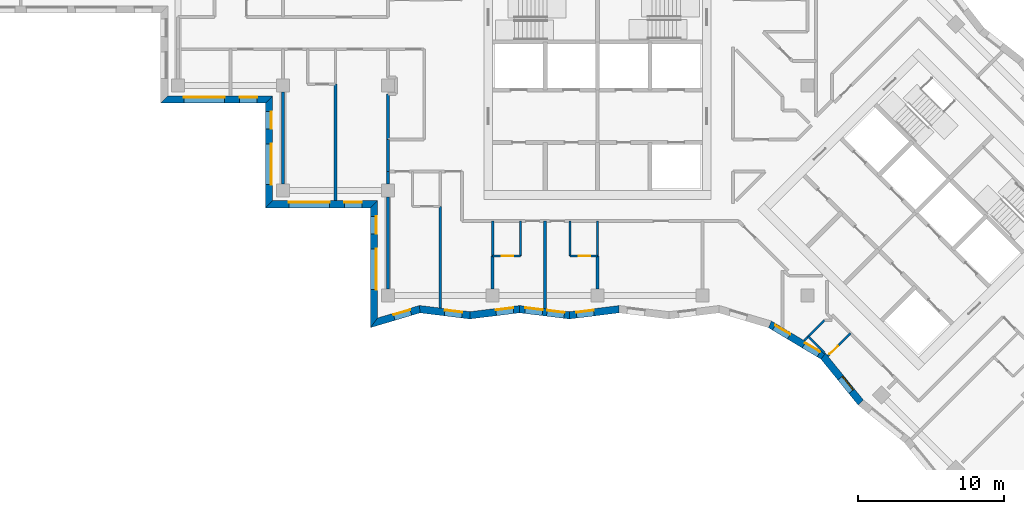
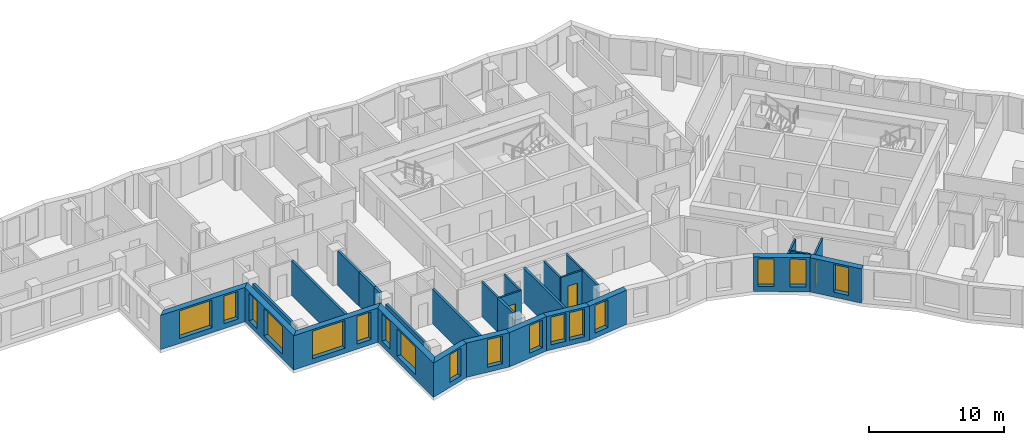
# One storey, part 2 of 12: 30 walls, 17 windows, 3 doors, 20 openings.
"""IFC4 building model written with IfcOpenShell, lengths in metres."""

import ifcopenshell
import ifcopenshell.guid

model = None  # the IFC model being written
_history = None  # IfcOwnerHistory: only IFC2X3 demands one
_inside = {}  # id of a spatial element -> (the spatial element, [elements in it])
_under = {}  # id of a project, library or spatial element -> (it, [spatial elements below it])
_declared = {}  # id of a project -> (the project, [libraries it declares])
_typed = {}  # id of a type object -> (the type object, [elements of that type])
_made_of = {}  # id of a material, layer set ... -> (it, [elements and type objects made of it])


def new_model(schema):
    """Start an empty IFC model of exactly this schema.

    Asked for "IFC4X3", IfcOpenShell would pick the latest addendum, in which some entities
    have other attributes; the version numbers below select the first issue.
    IFC2X3 requires an IfcOwnerHistory on every rooted entity: one is made here for all.
    """
    global model, _history
    if schema == "IFC4X3":
        model = ifcopenshell.file(schema_version=(4, 3, 0, 0))
    else:
        model = ifcopenshell.file(schema=schema)
    _inside.clear()
    _under.clear()
    _declared.clear()
    _typed.clear()
    _made_of.clear()
    _history = None
    if model.schema == "IFC2X3":
        org = make("IfcOrganization", Name="unknown")
        user = make(
            "IfcPersonAndOrganization",
            ThePerson=make("IfcPerson", FamilyName="unknown"),
            TheOrganization=org,
        )
        app = make(
            "IfcApplication",
            ApplicationDeveloper=org,
            Version="unknown",
            ApplicationFullName="unknown",
            ApplicationIdentifier="unknown",
        )
        _history = make(
            "IfcOwnerHistory",
            OwningUser=user,
            OwningApplication=app,
            ChangeAction="ADDED",
            CreationDate=0,
        )
    return model


def make(cls, **values):
    """One entity of the class cls with the attributes given. An attribute that is None is left unset."""
    return model.create_entity(
        cls, **{name: value for name, value in values.items() if value is not None}
    )


def rooted(cls, **values):
    """An entity with a GlobalId (a new one), such as an element, a storey or a relation."""
    return make(cls, GlobalId=ifcopenshell.guid.new(), OwnerHistory=_history, **values)


def si_unit(unit_type, name, prefix=None):
    """IfcSIUnit, for example si_unit("LENGTHUNIT", "METRE", prefix="MILLI")."""
    return make("IfcSIUnit", UnitType=unit_type, Prefix=prefix, Name=name)


def assignment(units):
    """IfcUnitAssignment: the units of a project."""
    return None if units is None else make("IfcUnitAssignment", Units=units)


def point(xyz):
    """IfcCartesianPoint."""
    return None if xyz is None else make("IfcCartesianPoint", Coordinates=xyz)


def direction(xyz):
    """IfcDirection."""
    return None if xyz is None else make("IfcDirection", DirectionRatios=xyz)


def frame(location, z_axis=None, x_axis=None):
    """IfcAxis2Placement3D, a coordinate frame: its origin and axes. An axis left out is left unset."""
    return make(
        "IfcAxis2Placement3D",
        Location=point(location),
        Axis=direction(z_axis),
        RefDirection=direction(x_axis),
    )


def frame_2d(location, x_axis=None):
    """IfcAxis2Placement2D, a coordinate frame in the plane: its origin and x axis."""
    return make(
        "IfcAxis2Placement2D", Location=point(location), RefDirection=direction(x_axis)
    )


def origin():
    """The frame at (0, 0, 0) with its axes left unset."""
    return frame((0.0, 0.0, 0.0))


def place(relative_to, where):
    """IfcLocalPlacement: puts the frame where relative to a parent placement (None: the world)."""
    return make(
        "IfcLocalPlacement", PlacementRelTo=relative_to, RelativePlacement=where
    )


def context(
    kind, dimensions, precision=None, world=None, true_north=None, identifier=None
):
    """IfcGeometricRepresentationContext, for example the 3D "Model" context."""
    return make(
        "IfcGeometricRepresentationContext",
        ContextIdentifier=identifier,
        ContextType=kind,
        CoordinateSpaceDimension=dimensions,
        Precision=precision,
        WorldCoordinateSystem=world,
        TrueNorth=true_north,
    )


def subcontext(parent, identifier, kind, view, scale=None):
    """IfcGeometricRepresentationSubContext, for example "Body" below "Model"."""
    return make(
        "IfcGeometricRepresentationSubContext",
        ContextIdentifier=identifier,
        ContextType=kind,
        ParentContext=parent,
        TargetScale=scale,
        TargetView=view,
    )


def project(units=None, contexts=None):
    """IfcProject with its units and contexts."""
    return rooted(
        "IfcProject",
        Name="project",
        RepresentationContexts=contexts,
        UnitsInContext=assignment(units),
    )


def spatial(cls, under=None, at=None, **own):
    """A site, building, storey or space (cls), placed at a placement, below another one or the project."""
    s = rooted(cls, ObjectPlacement=at, **own)
    if under is not None:
        _under.setdefault(under.id(), (under, []))[1].append(s)
    return s


def polyline(points):
    """IfcPolyline through the points."""
    return make("IfcPolyline", Points=[point(p) for p in points])


def profile(cls, at=None, kind="AREA", **sizes):
    """A parametric profile (cls). Its sizes go by their IFC names, for example OverallWidth=200.0."""
    return make(cls, ProfileType=kind, Position=at, **sizes)


def rectangle(**sizes):
    """IfcRectangleProfileDef."""
    return profile("IfcRectangleProfileDef", **sizes)


def outline(outer, holes=None, kind="AREA"):
    """IfcArbitraryClosedProfileDef: a profile drawn as a closed curve; with holes, ...WithVoids."""
    if holes is None:
        return make("IfcArbitraryClosedProfileDef", ProfileType=kind, OuterCurve=outer)
    return make(
        "IfcArbitraryProfileDefWithVoids",
        ProfileType=kind,
        OuterCurve=outer,
        InnerCurves=holes,
    )


def extrude(swept, where, along, depth):
    """IfcExtrudedAreaSolid: the profile swept, set in the frame where, extruded along a direction by depth."""
    return make(
        "IfcExtrudedAreaSolid",
        SweptArea=swept,
        Position=where,
        ExtrudedDirection=direction(along),
        Depth=depth,
    )


def shape(context_of_items, identifier, shape_type, items):
    """IfcShapeRepresentation: the items that make up one representation, for example the "Body"."""
    return make(
        "IfcShapeRepresentation",
        ContextOfItems=context_of_items,
        RepresentationIdentifier=identifier,
        RepresentationType=shape_type,
        Items=items,
    )


def material(Name=None, Category=None):
    """IfcMaterial."""
    return make("IfcMaterial", Name=Name, Category=Category)


def layer(
    of_material, thickness, ventilated=None, Name=None, Category=None, Priority=None
):
    """IfcMaterialLayer: one layer of a wall or slab, of a material (None: an air gap)."""
    return make(
        "IfcMaterialLayer",
        Material=of_material,
        LayerThickness=thickness,
        IsVentilated=ventilated,
        Name=Name,
        Category=Category,
        Priority=Priority,
    )


def layer_set(layers, Name=None):
    """IfcMaterialLayerSet."""
    return make("IfcMaterialLayerSet", MaterialLayers=layers, LayerSetName=Name)


def made_of(thing, what):
    """Note that an element or type object is made of a material, layer set ...; save() writes the relation."""
    if what is not None:
        _made_of.setdefault(what.id(), (what, []))[1].append(thing)
    return thing


def type_object(cls, material=None, **own):
    """A type object (cls), such as IfcWallType, which elements share."""
    return made_of(rooted(cls, **own), material)


def element(
    cls,
    number,
    at=None,
    inside=None,
    cuts=None,
    type_object=None,
    material=None,
    context=None,
    identifier="Body",
    shape_type=None,
    held_by="IfcProductDefinitionShape",
    body=None,
    shapes=None,
    **own,
):
    """One element of the class cls, such as IfcWall. Its Tag is "e" and its number.

    at: its placement. inside: the storey or other place that contains it. cuts: it is an
    opening in that element (IfcRelVoidsElement). A single representation is given by context,
    identifier, shape_type and body (its items); several are given by shapes. held_by: the class
    of the entity that holds the representations. save() writes the other relations.
    """
    e = rooted(cls, Tag="e%d" % number, ObjectPlacement=at, **own)
    if body is not None:
        shapes = [shape(context, identifier, shape_type, body)]
    if shapes is not None:
        e.Representation = make(held_by, Representations=shapes)
    if inside is not None:
        _inside.setdefault(inside.id(), (inside, []))[1].append(e)
    if cuts is not None:
        rooted(
            "IfcRelVoidsElement", RelatingBuildingElement=cuts, RelatedOpeningElement=e
        )
    if type_object is not None:
        _typed.setdefault(type_object.id(), (type_object, []))[1].append(e)
    return made_of(e, material)


def fill(opening, filler):
    """IfcRelFillsElement: the door or window that sits in an opening."""
    return rooted(
        "IfcRelFillsElement",
        RelatingOpeningElement=opening,
        RelatedBuildingElement=filler,
    )


def aggregate(whole, parts):
    """IfcRelAggregates: a whole, such as a stair, and the parts it consists of."""
    return rooted("IfcRelAggregates", RelatingObject=whole, RelatedObjects=parts)


def save(model, path):
    """Write the relations noted so far, then the file.

    IfcRelAggregates (storeys below a building ...), IfcRelContainedInSpatialStructure (elements
    in a storey), IfcRelDefinesByType, IfcRelAssociatesMaterial and IfcRelDeclares: one each for
    every whole, place, type object, material and project.
    """
    for whole, parts in _under.values():
        aggregate(whole, parts)
    for where, things in _inside.values():
        rooted(
            "IfcRelContainedInSpatialStructure",
            RelatedElements=things,
            RelatingStructure=where,
        )
    for kind, things in _typed.values():
        rooted("IfcRelDefinesByType", RelatedObjects=things, RelatingType=kind)
    for what, things in _made_of.values():
        rooted("IfcRelAssociatesMaterial", RelatedObjects=things, RelatingMaterial=what)
    for by, libraries in _declared.values():
        rooted("IfcRelDeclares", RelatingContext=by, RelatedDefinitions=libraries)
    model.write(path)


model = new_model("IFC4")

# Units and contexts
model_context = context("Model", 3, precision=1e-05, world=origin(), true_north=direction((0.0, 1.0)))
body_context = subcontext(model_context, "Body", "Model", "MODEL_VIEW")
ifc_project = project(units=[si_unit("LENGTHUNIT", "METRE"), si_unit("AREAUNIT", "SQUARE_METRE"), si_unit("VOLUMEUNIT", "CUBIC_METRE"), si_unit("PLANEANGLEUNIT", "RADIAN"), si_unit("MASSUNIT", "GRAM", prefix="KILO")], contexts=[model_context])

# Site, building, storey
site_placement = place(None, origin())
site = spatial("IfcSite", under=ifc_project, at=site_placement, CompositionType="ELEMENT")
building_placement = place(site_placement, origin())
building = spatial("IfcBuilding", under=site, at=building_placement, Name="Windrow Commons", CompositionType="ELEMENT")
storey_placement = place(building_placement, frame((0.0, 0.0, 149.0)))
storey = spatial("IfcBuildingStorey", under=building, at=storey_placement, Name="L40", CompositionType="ELEMENT", Elevation=149.0)

# Wall, openings, windows
ifc_material_1 = material(Name="Brick masonry, red clay brick", Category="masonry")
ifc_layer_1 = layer(ifc_material_1, 0.5)
ifc_layer_set_1 = layer_set([ifc_layer_1], Name="Brick facade wall 500")
wall_type_1 = type_object("IfcWallType", Name="Brick facade wall 500", PredefinedType="SOLIDWALL", material=ifc_layer_set_1)
wall_1_placement = place(storey_placement, frame((35.05, 56.65, 0.0), z_axis=(0.0, 0.0, 1.0), x_axis=(1.0, 0.0, 0.0)))
wall_1 = element("IfcWall", 1, at=wall_1_placement, inside=storey, type_object=wall_type_1, Name="Brick facade wall L40 38", PredefinedType="SOLIDWALL", context=body_context, shape_type="SweptSolid", body=[
    extrude(outline(polyline([(-0.25, -0.25), (6.95, -0.25), (7.45, 0.25), (0.25, 0.25), (-0.25, -0.25)])), origin(), (0.0, 0.0, 1.0), 3.1),
])
opening_1_placement = place(wall_1_placement, frame((1.35, 0.0, 0.45)))
opening_1 = element("IfcOpeningElement", 2, at=opening_1_placement, cuts=wall_1, Name="Opening W1U", PredefinedType="OPENING", context=body_context, shape_type="SweptSolid", body=[
    extrude(rectangle(XDim=2.8, YDim=2.5, at=frame_2d((1.4, 1.25))), frame((0.0, 0.26, 0.0), z_axis=(0.0, -1.0, 0.0), x_axis=(1.0, 0.0, 0.0)), (0.0, 0.0, 1.0), 0.52),
])
opening_2_placement = place(wall_1_placement, frame((5.175, 0.0, 0.45)))
opening_2 = element("IfcOpeningElement", 3, at=opening_2_placement, cuts=wall_1, Name="Opening W7E", PredefinedType="OPENING", context=body_context, shape_type="SweptSolid", body=[
    extrude(rectangle(XDim=1.2, YDim=2.5, at=frame_2d((0.6, 1.25))), frame((0.0, 0.26, 0.0), z_axis=(0.0, -1.0, 0.0), x_axis=(1.0, 0.0, 0.0)), (0.0, 0.0, 1.0), 0.52),
])
ifc_material_2 = material(Name="Clear float glass in anodised aluminium frame", Category="aluminium")
window_type_1 = type_object("IfcWindowType", Name="Window W1U bedroom 2800x2500", PartitioningType="SINGLE_PANEL", PredefinedType="WINDOW", material=ifc_material_2)
window_1_placement = place(opening_1_placement, origin())
window_1 = element("IfcWindow", 4, at=window_1_placement, inside=storey, type_object=window_type_1, Name="Window L40 38.1", OverallHeight=2.5, OverallWidth=2.8, PartitioningType="SINGLE_PANEL", PredefinedType="WINDOW", context=body_context, shape_type="SweptSolid", body=[
    extrude(rectangle(XDim=2.8, YDim=2.5, at=frame_2d((1.4, 1.25))), frame((0.0, 0.18, 0.0), z_axis=(0.0, -1.0, 0.0), x_axis=(1.0, 0.0, 0.0)), (0.0, 0.0, 1.0), 0.06),
])
fill(opening_1, window_1)
ifc_material_3 = material(Name="Clear float glass in anodised aluminium frame", Category="aluminium")
window_type_2 = type_object("IfcWindowType", Name="Window W7 notch 1200x2500", PartitioningType="SINGLE_PANEL", PredefinedType="WINDOW", material=ifc_material_3)
window_2_placement = place(opening_2_placement, origin())
window_2 = element("IfcWindow", 5, at=window_2_placement, inside=storey, type_object=window_type_2, Name="Window L40 38.2", OverallHeight=2.5, OverallWidth=1.2, PartitioningType="SINGLE_PANEL", PredefinedType="WINDOW", context=body_context, shape_type="SweptSolid", body=[
    extrude(rectangle(XDim=1.2, YDim=2.5, at=frame_2d((0.6, 1.25))), frame((0.0, 0.18, 0.0), z_axis=(0.0, -1.0, 0.0), x_axis=(1.0, 0.0, 0.0)), (0.0, 0.0, 1.0), 0.06),
])
fill(opening_2, window_2)

wall_2_placement = place(storey_placement, frame((42.25, 56.65, 0.0), z_axis=(0.0, 0.0, 1.0), x_axis=(0.0, -1.0, 0.0)))
wall_2 = element("IfcWall", 6, at=wall_2_placement, inside=storey, type_object=wall_type_1, Name="Brick facade wall L40 39", PredefinedType="SOLIDWALL", context=body_context, shape_type="SweptSolid", body=[
    extrude(outline(polyline([(0.25, -0.25), (7.45, -0.25), (6.95, 0.25), (-0.25, 0.25), (0.25, -0.25)])), origin(), (0.0, 0.0, 1.0), 3.1),
])
opening_3_placement = place(wall_2_placement, frame((3.05, 0.0, 0.45)))
opening_3 = element("IfcOpeningElement", 7, at=opening_3_placement, cuts=wall_2, Name="Opening W1U", PredefinedType="OPENING", context=body_context, shape_type="SweptSolid", body=[
    extrude(rectangle(XDim=2.8, YDim=2.5, at=frame_2d((1.4, 1.25))), frame((0.0, 0.26, 0.0), z_axis=(0.0, -1.0, 0.0), x_axis=(1.0, 0.0, 0.0)), (0.0, 0.0, 1.0), 0.52),
])
opening_4_placement = place(wall_2_placement, frame((0.825, 0.0, 0.45)))
opening_4 = element("IfcOpeningElement", 8, at=opening_4_placement, cuts=wall_2, Name="Opening W7E", PredefinedType="OPENING", context=body_context, shape_type="SweptSolid", body=[
    extrude(rectangle(XDim=1.2, YDim=2.5, at=frame_2d((0.6, 1.25))), frame((0.0, 0.26, 0.0), z_axis=(0.0, -1.0, 0.0), x_axis=(1.0, 0.0, 0.0)), (0.0, 0.0, 1.0), 0.52),
])
window_3_placement = place(opening_3_placement, origin())
window_3 = element("IfcWindow", 9, at=window_3_placement, inside=storey, type_object=window_type_1, Name="Window L40 39.1", OverallHeight=2.5, OverallWidth=2.8, PartitioningType="SINGLE_PANEL", PredefinedType="WINDOW", context=body_context, shape_type="SweptSolid", body=[
    extrude(rectangle(XDim=2.8, YDim=2.5, at=frame_2d((1.4, 1.25))), frame((0.0, 0.18, 0.0), z_axis=(0.0, -1.0, 0.0), x_axis=(1.0, 0.0, 0.0)), (0.0, 0.0, 1.0), 0.06),
])
fill(opening_3, window_3)
window_4_placement = place(opening_4_placement, origin())
window_4 = element("IfcWindow", 10, at=window_4_placement, inside=storey, type_object=window_type_2, Name="Window L40 39.2", OverallHeight=2.5, OverallWidth=1.2, PartitioningType="SINGLE_PANEL", PredefinedType="WINDOW", context=body_context, shape_type="SweptSolid", body=[
    extrude(rectangle(XDim=1.2, YDim=2.5, at=frame_2d((0.6, 1.25))), frame((0.0, 0.18, 0.0), z_axis=(0.0, -1.0, 0.0), x_axis=(1.0, 0.0, 0.0)), (0.0, 0.0, 1.0), 0.06),
])
fill(opening_4, window_4)

wall_3_placement = place(storey_placement, frame((42.25, 49.45, 0.0), z_axis=(0.0, 0.0, 1.0), x_axis=(1.0, 0.0, 0.0)))
wall_3 = element("IfcWall", 11, at=wall_3_placement, inside=storey, type_object=wall_type_1, Name="Brick facade wall L40 40", PredefinedType="SOLIDWALL", context=body_context, shape_type="SweptSolid", body=[
    extrude(outline(polyline([(-0.25, -0.25), (6.95, -0.25), (7.45, 0.25), (0.25, 0.25), (-0.25, -0.25)])), origin(), (0.0, 0.0, 1.0), 3.1),
])
opening_5_placement = place(wall_3_placement, frame((1.35, 0.0, 0.45)))
opening_5 = element("IfcOpeningElement", 12, at=opening_5_placement, cuts=wall_3, Name="Opening W1U", PredefinedType="OPENING", context=body_context, shape_type="SweptSolid", body=[
    extrude(rectangle(XDim=2.8, YDim=2.5, at=frame_2d((1.4, 1.25))), frame((0.0, 0.26, 0.0), z_axis=(0.0, -1.0, 0.0), x_axis=(1.0, 0.0, 0.0)), (0.0, 0.0, 1.0), 0.52),
])
opening_6_placement = place(wall_3_placement, frame((5.175, 0.0, 0.45)))
opening_6 = element("IfcOpeningElement", 13, at=opening_6_placement, cuts=wall_3, Name="Opening W7E", PredefinedType="OPENING", context=body_context, shape_type="SweptSolid", body=[
    extrude(rectangle(XDim=1.2, YDim=2.5, at=frame_2d((0.6, 1.25))), frame((0.0, 0.26, 0.0), z_axis=(0.0, -1.0, 0.0), x_axis=(1.0, 0.0, 0.0)), (0.0, 0.0, 1.0), 0.52),
])
window_5_placement = place(opening_5_placement, origin())
window_5 = element("IfcWindow", 14, at=window_5_placement, inside=storey, type_object=window_type_1, Name="Window L40 40.1", OverallHeight=2.5, OverallWidth=2.8, PartitioningType="SINGLE_PANEL", PredefinedType="WINDOW", context=body_context, shape_type="SweptSolid", body=[
    extrude(rectangle(XDim=2.8, YDim=2.5, at=frame_2d((1.4, 1.25))), frame((0.0, 0.18, 0.0), z_axis=(0.0, -1.0, 0.0), x_axis=(1.0, 0.0, 0.0)), (0.0, 0.0, 1.0), 0.06),
])
fill(opening_5, window_5)
window_6_placement = place(opening_6_placement, origin())
window_6 = element("IfcWindow", 15, at=window_6_placement, inside=storey, type_object=window_type_2, Name="Window L40 40.2", OverallHeight=2.5, OverallWidth=1.2, PartitioningType="SINGLE_PANEL", PredefinedType="WINDOW", context=body_context, shape_type="SweptSolid", body=[
    extrude(rectangle(XDim=1.2, YDim=2.5, at=frame_2d((0.6, 1.25))), frame((0.0, 0.18, 0.0), z_axis=(0.0, -1.0, 0.0), x_axis=(1.0, 0.0, 0.0)), (0.0, 0.0, 1.0), 0.06),
])
fill(opening_6, window_6)

wall_4_placement = place(storey_placement, frame((49.45, 49.45, 0.0), z_axis=(0.0, 0.0, 1.0), x_axis=(0.0, -1.0, 0.0)))
wall_4 = element("IfcWall", 16, at=wall_4_placement, inside=storey, type_object=wall_type_1, Name="Brick facade wall L40 41", PredefinedType="SOLIDWALL", context=body_context, shape_type="SweptSolid", body=[
    extrude(outline(polyline([(0.25, -0.25), (8.471, -0.25), (7.7997, 0.25), (-0.25, 0.25), (0.25, -0.25)])), origin(), (0.0, 0.0, 1.0), 3.1),
])
opening_7_placement = place(wall_4_placement, frame((3.05, 0.0, 0.45)))
opening_7 = element("IfcOpeningElement", 17, at=opening_7_placement, cuts=wall_4, Name="Opening W1U", PredefinedType="OPENING", context=body_context, shape_type="SweptSolid", body=[
    extrude(rectangle(XDim=2.8, YDim=2.5, at=frame_2d((1.4, 1.25))), frame((0.0, 0.26, 0.0), z_axis=(0.0, -1.0, 0.0), x_axis=(1.0, 0.0, 0.0)), (0.0, 0.0, 1.0), 0.52),
])
opening_8_placement = place(wall_4_placement, frame((0.825, 0.0, 0.45)))
opening_8 = element("IfcOpeningElement", 18, at=opening_8_placement, cuts=wall_4, Name="Opening W7E", PredefinedType="OPENING", context=body_context, shape_type="SweptSolid", body=[
    extrude(rectangle(XDim=1.2, YDim=2.5, at=frame_2d((0.6, 1.25))), frame((0.0, 0.26, 0.0), z_axis=(0.0, -1.0, 0.0), x_axis=(1.0, 0.0, 0.0)), (0.0, 0.0, 1.0), 0.52),
])
window_7_placement = place(opening_7_placement, origin())
window_7 = element("IfcWindow", 19, at=window_7_placement, inside=storey, type_object=window_type_1, Name="Window L40 41.1", OverallHeight=2.5, OverallWidth=2.8, PartitioningType="SINGLE_PANEL", PredefinedType="WINDOW", context=body_context, shape_type="SweptSolid", body=[
    extrude(rectangle(XDim=2.8, YDim=2.5, at=frame_2d((1.4, 1.25))), frame((0.0, 0.18, 0.0), z_axis=(0.0, -1.0, 0.0), x_axis=(1.0, 0.0, 0.0)), (0.0, 0.0, 1.0), 0.06),
])
fill(opening_7, window_7)
window_8_placement = place(opening_8_placement, origin())
window_8 = element("IfcWindow", 20, at=window_8_placement, inside=storey, type_object=window_type_2, Name="Window L40 41.2", OverallHeight=2.5, OverallWidth=1.2, PartitioningType="SINGLE_PANEL", PredefinedType="WINDOW", context=body_context, shape_type="SweptSolid", body=[
    extrude(rectangle(XDim=1.2, YDim=2.5, at=frame_2d((0.6, 1.25))), frame((0.0, 0.18, 0.0), z_axis=(0.0, -1.0, 0.0), x_axis=(1.0, 0.0, 0.0)), (0.0, 0.0, 1.0), 0.06),
])
fill(opening_8, window_8)

# Wall, opening, window
wall_5_placement = place(storey_placement, frame((49.45, 41.3146, 0.0), z_axis=(0.0, 0.0, 1.0), x_axis=(0.9581326082, 0.2863248246, 0.0)))
wall_5 = element("IfcWall", 21, at=wall_5_placement, inside=storey, type_object=wall_type_1, Name="Brick facade wall L40 42", PredefinedType="SOLIDWALL", context=body_context, shape_type="SweptSolid", body=[
    extrude(outline(polyline([(-0.3356, -0.25), (3.2303, -0.25), (3.335, 0.25), (0.3356, 0.25), (-0.3356, -0.25)])), origin(), (0.0, 0.0, 1.0), 3.1),
])
opening_9_placement = place(wall_5_placement, frame((1.4371, 0.0, 0.45)))
opening_9 = element("IfcOpeningElement", 22, at=opening_9_placement, cuts=wall_5, Name="Opening W7E", PredefinedType="OPENING", context=body_context, shape_type="SweptSolid", body=[
    extrude(rectangle(XDim=1.2, YDim=2.5, at=frame_2d((0.6, 1.25))), frame((0.0, 0.26, 0.0), z_axis=(0.0, -1.0, 0.0), x_axis=(1.0, 0.0, 0.0)), (0.0, 0.0, 1.0), 0.52),
])
window_9_placement = place(opening_9_placement, origin())
window_9 = element("IfcWindow", 23, at=window_9_placement, inside=storey, type_object=window_type_2, Name="Window L40 42.1", OverallHeight=2.5, OverallWidth=1.2, PartitioningType="SINGLE_PANEL", PredefinedType="WINDOW", context=body_context, shape_type="SweptSolid", body=[
    extrude(rectangle(XDim=1.2, YDim=2.5, at=frame_2d((0.6, 1.25))), frame((0.0, 0.18, 0.0), z_axis=(0.0, -1.0, 0.0), x_axis=(1.0, 0.0, 0.0)), (0.0, 0.0, 1.0), 0.06),
])
fill(opening_9, window_9)

wall_6_placement = place(storey_placement, frame((52.5952, 42.2545, 0.0), z_axis=(0.0, 0.0, 1.0), x_axis=(0.9924948483, -0.1222864508, 0.0)))
wall_6 = element("IfcWall", 24, at=wall_6_placement, inside=storey, type_object=wall_type_1, Name="Brick facade wall L40 43", PredefinedType="SOLIDWALL", context=body_context, shape_type="SweptSolid", body=[
    extrude(outline(polyline([(0.0524, -0.25), (3.4948, -0.25), (3.4332, 0.25), (-0.0524, 0.25), (0.0524, -0.25)])), origin(), (0.0, 0.0, 1.0), 3.1),
])
opening_10_placement = place(wall_6_placement, frame((1.7243, 0.0, 0.45)))
opening_10 = element("IfcOpeningElement", 25, at=opening_10_placement, cuts=wall_6, Name="Opening W7E", PredefinedType="OPENING", context=body_context, shape_type="SweptSolid", body=[
    extrude(rectangle(XDim=1.2, YDim=2.5, at=frame_2d((0.6, 1.25))), frame((0.0, 0.26, 0.0), z_axis=(0.0, -1.0, 0.0), x_axis=(1.0, 0.0, 0.0)), (0.0, 0.0, 1.0), 0.52),
])
window_10_placement = place(opening_10_placement, origin())
window_10 = element("IfcWindow", 26, at=window_10_placement, inside=storey, type_object=window_type_2, Name="Window L40 43.1", OverallHeight=2.5, OverallWidth=1.2, PartitioningType="SINGLE_PANEL", PredefinedType="WINDOW", context=body_context, shape_type="SweptSolid", body=[
    extrude(rectangle(XDim=1.2, YDim=2.5, at=frame_2d((0.6, 1.25))), frame((0.0, 0.18, 0.0), z_axis=(0.0, -1.0, 0.0), x_axis=(1.0, 0.0, 0.0)), (0.0, 0.0, 1.0), 0.06),
])
fill(opening_10, window_10)

wall_7_placement = place(storey_placement, frame((56.0332, 41.8309, 0.0), z_axis=(0.0, 0.0, 1.0), x_axis=(0.9924939881, 0.122293432, 0.0)))
wall_7 = element("IfcWall", 27, at=wall_7_placement, inside=storey, type_object=wall_type_1, Name="Brick facade wall L40 44", PredefinedType="SOLIDWALL", context=body_context, shape_type="SweptSolid", body=[
    extrude(outline(polyline([(-0.0308, -0.25), (3.4117, -0.25), (3.4733, 0.25), (0.0308, 0.25), (-0.0308, -0.25)])), origin(), (0.0, 0.0, 1.0), 3.1),
])
opening_11_placement = place(wall_7_placement, frame((1.8105, 0.0, 0.45)))
opening_11 = element("IfcOpeningElement", 28, at=opening_11_placement, cuts=wall_7, Name="Opening W7E", PredefinedType="OPENING", context=body_context, shape_type="SweptSolid", body=[
    extrude(rectangle(XDim=1.2, YDim=2.5, at=frame_2d((0.6, 1.25))), frame((0.0, 0.26, 0.0), z_axis=(0.0, -1.0, 0.0), x_axis=(1.0, 0.0, 0.0)), (0.0, 0.0, 1.0), 0.52),
])
window_11_placement = place(opening_11_placement, origin())
window_11 = element("IfcWindow", 29, at=window_11_placement, inside=storey, type_object=window_type_2, Name="Window L40 44.1", OverallHeight=2.5, OverallWidth=1.2, PartitioningType="SINGLE_PANEL", PredefinedType="WINDOW", context=body_context, shape_type="SweptSolid", body=[
    extrude(rectangle(XDim=1.2, YDim=2.5, at=frame_2d((0.6, 1.25))), frame((0.0, 0.18, 0.0), z_axis=(0.0, -1.0, 0.0), x_axis=(1.0, 0.0, 0.0)), (0.0, 0.0, 1.0), 0.06),
])
fill(opening_11, window_11)

# Wall, openings, windows
wall_8_placement = place(storey_placement, frame((59.4499, 42.2519, 0.0), z_axis=(0.0, 0.0, 1.0), x_axis=(0.9924935537, -0.1222969578, 0.0)))
wall_8 = element("IfcWall", 30, at=wall_8_placement, inside=storey, type_object=wall_type_1, Name="Brick facade wall L40 45", PredefinedType="SOLIDWALL", context=body_context, shape_type="SweptSolid", body=[
    extrude(outline(polyline([(0.0308, -0.25), (3.4733, -0.25), (3.4117, 0.25), (-0.0308, 0.25), (0.0308, -0.25)])), origin(), (0.0, 0.0, 1.0), 3.1),
])
opening_12_placement = place(wall_8_placement, frame((0.3817, 0.0, 0.45)))
opening_12 = element("IfcOpeningElement", 31, at=opening_12_placement, cuts=wall_8, Name="Opening W7E", PredefinedType="OPENING", context=body_context, shape_type="SweptSolid", body=[
    extrude(rectangle(XDim=1.2, YDim=2.5, at=frame_2d((0.6, 1.25))), frame((0.0, 0.26, 0.0), z_axis=(0.0, -1.0, 0.0), x_axis=(1.0, 0.0, 0.0)), (0.0, 0.0, 1.0), 0.52),
])
opening_13_placement = place(wall_8_placement, frame((1.8875, 0.0, 0.45)))
opening_13 = element("IfcOpeningElement", 32, at=opening_13_placement, cuts=wall_8, Name="Opening W7E", PredefinedType="OPENING", context=body_context, shape_type="SweptSolid", body=[
    extrude(rectangle(XDim=1.2, YDim=2.5, at=frame_2d((0.6, 1.25))), frame((0.0, 0.26, 0.0), z_axis=(0.0, -1.0, 0.0), x_axis=(1.0, 0.0, 0.0)), (0.0, 0.0, 1.0), 0.52),
])
window_12_placement = place(opening_12_placement, origin())
window_12 = element("IfcWindow", 33, at=window_12_placement, inside=storey, type_object=window_type_2, Name="Window L40 45.1", OverallHeight=2.5, OverallWidth=1.2, PartitioningType="SINGLE_PANEL", PredefinedType="WINDOW", context=body_context, shape_type="SweptSolid", body=[
    extrude(rectangle(XDim=1.2, YDim=2.5, at=frame_2d((0.6, 1.25))), frame((0.0, 0.18, 0.0), z_axis=(0.0, -1.0, 0.0), x_axis=(1.0, 0.0, 0.0)), (0.0, 0.0, 1.0), 0.06),
])
fill(opening_12, window_12)
window_13_placement = place(opening_13_placement, origin())
window_13 = element("IfcWindow", 34, at=window_13_placement, inside=storey, type_object=window_type_2, Name="Window L40 45.2", OverallHeight=2.5, OverallWidth=1.2, PartitioningType="SINGLE_PANEL", PredefinedType="WINDOW", context=body_context, shape_type="SweptSolid", body=[
    extrude(rectangle(XDim=1.2, YDim=2.5, at=frame_2d((0.6, 1.25))), frame((0.0, 0.18, 0.0), z_axis=(0.0, -1.0, 0.0), x_axis=(1.0, 0.0, 0.0)), (0.0, 0.0, 1.0), 0.06),
])
fill(opening_13, window_13)

# Wall, opening, window
wall_9_placement = place(storey_placement, frame((62.8665, 41.8309, 0.0), z_axis=(0.0, 0.0, 1.0), x_axis=(0.9924935537, 0.1222969578, 0.0)))
wall_9 = element("IfcWall", 35, at=wall_9_placement, inside=storey, type_object=wall_type_1, Name="Brick facade wall L40 46", PredefinedType="SOLIDWALL", context=body_context, shape_type="SweptSolid", body=[
    extrude(outline(polyline([(-0.0308, -0.25), (3.4117, -0.25), (3.4733, 0.25), (0.0308, 0.25), (-0.0308, -0.25)])), origin(), (0.0, 0.0, 1.0), 3.1),
])
opening_14_placement = place(wall_9_placement, frame((0.4895, 0.0, 0.45)))
opening_14 = element("IfcOpeningElement", 36, at=opening_14_placement, cuts=wall_9, Name="Opening W7E", PredefinedType="OPENING", context=body_context, shape_type="SweptSolid", body=[
    extrude(rectangle(XDim=1.2, YDim=2.5, at=frame_2d((0.6, 1.25))), frame((0.0, 0.26, 0.0), z_axis=(0.0, -1.0, 0.0), x_axis=(1.0, 0.0, 0.0)), (0.0, 0.0, 1.0), 0.52),
])
window_14_placement = place(opening_14_placement, origin())
window_14 = element("IfcWindow", 37, at=window_14_placement, inside=storey, type_object=window_type_2, Name="Window L40 46.1", OverallHeight=2.5, OverallWidth=1.2, PartitioningType="SINGLE_PANEL", PredefinedType="WINDOW", context=body_context, shape_type="SweptSolid", body=[
    extrude(rectangle(XDim=1.2, YDim=2.5, at=frame_2d((0.6, 1.25))), frame((0.0, 0.18, 0.0), z_axis=(0.0, -1.0, 0.0), x_axis=(1.0, 0.0, 0.0)), (0.0, 0.0, 1.0), 0.06),
])
fill(opening_14, window_14)

# Wall, openings, windows
wall_10_placement = place(storey_placement, frame((76.6345, 41.2096, 0.0), z_axis=(0.0, 0.0, 1.0), x_axis=(0.8582520879, -0.513228364, 0.0)))
wall_10 = element("IfcWall", 38, at=wall_10_placement, inside=storey, type_object=wall_type_1, Name="Brick facade wall L40 50", PredefinedType="SOLIDWALL", context=body_context, shape_type="SweptSolid", body=[
    extrude(outline(polyline([(0.0312, -0.25), (4.2161, -0.25), (4.3045, 0.25), (-0.0312, 0.25), (0.0312, -0.25)])), origin(), (0.0, 0.0, 1.0), 3.1),
])
opening_15_placement = place(wall_10_placement, frame((0.3466, 0.0, 0.45)))
opening_15 = element("IfcOpeningElement", 39, at=opening_15_placement, cuts=wall_10, Name="Opening W7E", PredefinedType="OPENING", context=body_context, shape_type="SweptSolid", body=[
    extrude(rectangle(XDim=1.2, YDim=2.5, at=frame_2d((0.6, 1.25))), frame((0.0, 0.26, 0.0), z_axis=(0.0, -1.0, 0.0), x_axis=(1.0, 0.0, 0.0)), (0.0, 0.0, 1.0), 0.52),
])
opening_16_placement = place(wall_10_placement, frame((2.7267, 0.0, 0.45)))
opening_16 = element("IfcOpeningElement", 40, at=opening_16_placement, cuts=wall_10, Name="Opening W7E", PredefinedType="OPENING", context=body_context, shape_type="SweptSolid", body=[
    extrude(rectangle(XDim=1.2, YDim=2.5, at=frame_2d((0.6, 1.25))), frame((0.0, 0.26, 0.0), z_axis=(0.0, -1.0, 0.0), x_axis=(1.0, 0.0, 0.0)), (0.0, 0.0, 1.0), 0.52),
])
window_15_placement = place(opening_15_placement, origin())
window_15 = element("IfcWindow", 41, at=window_15_placement, inside=storey, type_object=window_type_2, Name="Window L40 50.1", OverallHeight=2.5, OverallWidth=1.2, PartitioningType="SINGLE_PANEL", PredefinedType="WINDOW", context=body_context, shape_type="SweptSolid", body=[
    extrude(rectangle(XDim=1.2, YDim=2.5, at=frame_2d((0.6, 1.25))), frame((0.0, 0.16, 0.0), z_axis=(0.0, -1.0, 0.0), x_axis=(1.0, 0.0, 0.0)), (0.0, 0.0, 1.0), 0.06),
])
fill(opening_15, window_15)
window_16_placement = place(opening_16_placement, origin())
window_16 = element("IfcWindow", 42, at=window_16_placement, inside=storey, type_object=window_type_2, Name="Window L40 50.2", OverallHeight=2.5, OverallWidth=1.2, PartitioningType="SINGLE_PANEL", PredefinedType="WINDOW", context=body_context, shape_type="SweptSolid", body=[
    extrude(rectangle(XDim=1.2, YDim=2.5, at=frame_2d((0.6, 1.25))), frame((0.0, 0.18, 0.0), z_axis=(0.0, -1.0, 0.0), x_axis=(1.0, 0.0, 0.0)), (0.0, 0.0, 1.0), 0.06),
])
fill(opening_16, window_16)

# Wall, opening, window
wall_11_placement = place(storey_placement, frame((80.2909, 39.0231, 0.0), z_axis=(0.0, 0.0, 1.0), x_axis=(0.6303794952, -0.7762871195, 0.0)))
wall_11 = element("IfcWall", 43, at=wall_11_placement, inside=storey, type_object=wall_type_1, Name="Brick facade wall L40 51", PredefinedType="SOLIDWALL", context=body_context, shape_type="SweptSolid", body=[
    extrude(outline(polyline([(0.0442, -0.25), (4.1244, -0.25), (4.0725, 0.25), (-0.0442, 0.25), (0.0442, -0.25)])), origin(), (0.0, 0.0, 1.0), 3.1),
])
opening_17_placement = place(wall_11_placement, frame((1.8944, 0.0, 0.45)))
opening_17 = element("IfcOpeningElement", 44, at=opening_17_placement, cuts=wall_11, Name="Opening W7E", PredefinedType="OPENING", context=body_context, shape_type="SweptSolid", body=[
    extrude(rectangle(XDim=1.2, YDim=2.5, at=frame_2d((0.6, 1.25))), frame((0.0, 0.26, 0.0), z_axis=(0.0, -1.0, 0.0), x_axis=(1.0, 0.0, 0.0)), (0.0, 0.0, 1.0), 0.52),
])
window_17_placement = place(opening_17_placement, origin())
window_17 = element("IfcWindow", 45, at=window_17_placement, inside=storey, type_object=window_type_2, Name="Window L40 51.1", OverallHeight=2.5, OverallWidth=1.2, PartitioningType="SINGLE_PANEL", PredefinedType="WINDOW", context=body_context, shape_type="SweptSolid", body=[
    extrude(rectangle(XDim=1.2, YDim=2.5, at=frame_2d((0.6, 1.25))), frame((0.0, 0.18, 0.0), z_axis=(0.0, -1.0, 0.0), x_axis=(1.0, 0.0, 0.0)), (0.0, 0.0, 1.0), 0.06),
])
fill(opening_17, window_17)

# Walls
ifc_material_4 = material(Name="Blockwork partition", Category="masonry")
ifc_layer_2 = layer(ifc_material_4, 0.2)
ifc_layer_set_2 = layer_set([ifc_layer_2], Name="IW-CORRIDOR-200")
wall_type_2 = type_object("IfcWallType", Name="IW-CORRIDOR-200", PredefinedType="PARTITIONING", material=ifc_layer_set_2)
wall_12_placement = place(storey_placement, frame((50.4, 51.7, 0.0), z_axis=(0.0, 0.0, 1.0), x_axis=(0.0, 1.0, 0.0)))
element("IfcWall", 46, at=wall_12_placement, inside=storey, type_object=wall_type_2, Name="W-L40-W109", PredefinedType="PARTITIONING", context=body_context, shape_type="SweptSolid", body=[
    extrude(rectangle(XDim=2.2, YDim=0.2, at=frame_2d((1.1, 0.0))), origin(), (0.0, 0.0, 1.0), 3.1),
])
ifc_material_5 = material(Name="Blockwork partition", Category="masonry")
ifc_layer_3 = layer(ifc_material_5, 0.15)
ifc_layer_set_3 = layer_set([ifc_layer_3], Name="IW-ENSUITE-150")
wall_type_3 = type_object("IfcWallType", Name="IW-ENSUITE-150", PredefinedType="PARTITIONING", material=ifc_layer_set_3)
for number, where, z_axis, x_axis, name in (
    (47, (59.5, 45.9, 0.0), (0.0, 0.0, 1.0), (0.0, 1.0, 0.0), "W-L40-W083"),
    (48, (57.6, 45.9, 0.0), (0.0, 0.0, 1.0), (0.0, 1.0, 0.0), "W-L40-W084"),
    (49, (62.9, 45.9, 0.0), (0.0, 0.0, 1.0), (0.0, 1.0, 0.0), "W-L40-W085"),
    (50, (64.8, 45.9, 0.0), (0.0, 0.0, 1.0), (0.0, 1.0, 0.0), "W-L40-W086"),
):
    element("IfcWall", number, at=place(storey_placement, frame(where, z_axis=z_axis, x_axis=x_axis)), inside=storey, type_object=wall_type_3, Name=name, PredefinedType="PARTITIONING", context=body_context, shape_type="SweptSolid", body=[
        extrude(rectangle(XDim=2.4, YDim=0.15, at=frame_2d((1.2, 0.0))), origin(), (0.0, 0.0, 1.0), 3.1),
    ])

# Wall, opening, door
wall_13_placement = place(storey_placement, frame((80.6013, 39.0375, 0.0), z_axis=(0.0, 0.0, 1.0), x_axis=(0.7071067812, 0.7071067812, 0.0)))
wall_13 = element("IfcWall", 51, at=wall_13_placement, inside=storey, type_object=wall_type_3, Name="W-L40-W113", PredefinedType="PARTITIONING", context=body_context, shape_type="SweptSolid", body=[
    extrude(rectangle(XDim=2.2169, YDim=0.15, at=frame_2d((1.1084, 0.0))), origin(), (0.0, 0.0, 1.0), 3.1),
])
opening_18_placement = place(wall_13_placement, frame((0.18, 0.0, 0.0)))
opening_18 = element("IfcOpeningElement", 52, at=opening_18_placement, cuts=wall_13, Name="Opening D208N", PredefinedType="OPENING", context=body_context, shape_type="SweptSolid", body=[
    extrude(rectangle(XDim=0.8, YDim=2.1, at=frame_2d((0.4, 1.05))), frame((0.0, 0.085, 0.0), z_axis=(0.0, -1.0, 0.0), x_axis=(1.0, 0.0, 0.0)), (0.0, 0.0, 1.0), 0.17),
])
ifc_material_6 = material(Name="Timber door leaf", Category="wood")
door_type = type_object("IfcDoorType", Name="DT-ENSUITE-800", OperationType="SINGLE_SWING_LEFT", PredefinedType="DOOR", material=ifc_material_6)
door_1_placement = place(opening_18_placement, origin())
door_1 = element("IfcDoor", 53, at=door_1_placement, inside=storey, type_object=door_type, Name="D-L40-D047", OperationType="SINGLE_SWING_RIGHT", OverallHeight=2.1, OverallWidth=0.8, PredefinedType="DOOR", context=body_context, shape_type="SweptSolid", body=[
    extrude(rectangle(XDim=0.8, YDim=2.1, at=frame_2d((0.4, 1.05))), frame((0.0, 0.025, 0.0), z_axis=(0.0, -1.0, 0.0), x_axis=(1.0, 0.0, 0.0)), (0.0, 0.0, 1.0), 0.05),
])
fill(opening_18, door_1)

# Wall
wall_14_placement = place(storey_placement, frame((78.9769, 40.1002, 0.0), z_axis=(0.0, 0.0, 1.0), x_axis=(0.7071320264, 0.707081535, 0.0)))
element("IfcWall", 54, at=wall_14_placement, inside=storey, type_object=wall_type_3, Name="W-L40-W122", PredefinedType="PARTITIONING", context=body_context, shape_type="SweptSolid", body=[
    extrude(rectangle(XDim=1.9805, YDim=0.15, at=frame_2d((0.9902, 0.0))), origin(), (0.0, 0.0, 1.0), 3.1),
])

# Wall, opening, door
wall_15_placement = place(storey_placement, frame((57.6, 45.9, 0.0), z_axis=(0.0, 0.0, 1.0), x_axis=(1.0, 0.0, 0.0)))
wall_15 = element("IfcWall", 55, at=wall_15_placement, inside=storey, type_object=wall_type_3, Name="W-L40-W130", PredefinedType="PARTITIONING", context=body_context, shape_type="SweptSolid", body=[
    extrude(rectangle(XDim=1.9, YDim=0.15, at=frame_2d((0.95, 0.0))), origin(), (0.0, 0.0, 1.0), 3.1),
])
opening_19_placement = place(wall_15_placement, frame((0.6069, 0.0, 0.0)))
opening_19 = element("IfcOpeningElement", 56, at=opening_19_placement, cuts=wall_15, Name="Opening D208N", PredefinedType="OPENING", context=body_context, shape_type="SweptSolid", body=[
    extrude(rectangle(XDim=0.8, YDim=2.1, at=frame_2d((0.4, 1.05))), frame((0.0, 0.085, 0.0), z_axis=(0.0, -1.0, 0.0), x_axis=(1.0, 0.0, 0.0)), (0.0, 0.0, 1.0), 0.17),
])
door_2_placement = place(opening_19_placement, origin())
door_2 = element("IfcDoor", 57, at=door_2_placement, inside=storey, type_object=door_type, Name="D-L40-D034", OperationType="SINGLE_SWING_RIGHT", OverallHeight=2.1, OverallWidth=0.8, PredefinedType="DOOR", context=body_context, shape_type="SweptSolid", body=[
    extrude(rectangle(XDim=0.8, YDim=2.1, at=frame_2d((0.4, 1.05))), frame((0.0, 0.025, 0.0), z_axis=(0.0, -1.0, 0.0), x_axis=(1.0, 0.0, 0.0)), (0.0, 0.0, 1.0), 0.05),
])
fill(opening_19, door_2)

wall_16_placement = place(storey_placement, frame((62.9, 45.9, 0.0), z_axis=(0.0, 0.0, 1.0), x_axis=(1.0, 0.0, 0.0)))
wall_16 = element("IfcWall", 58, at=wall_16_placement, inside=storey, type_object=wall_type_3, Name="W-L40-W131", PredefinedType="PARTITIONING", context=body_context, shape_type="SweptSolid", body=[
    extrude(rectangle(XDim=1.9, YDim=0.15, at=frame_2d((0.95, 0.0))), origin(), (0.0, 0.0, 1.0), 3.1),
])
opening_20_placement = place(wall_16_placement, frame((0.5979, 0.0, 0.0)))
opening_20 = element("IfcOpeningElement", 59, at=opening_20_placement, cuts=wall_16, Name="Opening D208N", PredefinedType="OPENING", context=body_context, shape_type="SweptSolid", body=[
    extrude(rectangle(XDim=0.8, YDim=2.1, at=frame_2d((0.4, 1.05))), frame((0.0, 0.085, 0.0), z_axis=(0.0, -1.0, 0.0), x_axis=(1.0, 0.0, 0.0)), (0.0, 0.0, 1.0), 0.17),
])
door_3_placement = place(opening_20_placement, origin())
door_3 = element("IfcDoor", 60, at=door_3_placement, inside=storey, type_object=door_type, Name="D-L40-D036", OperationType="SINGLE_SWING_RIGHT", OverallHeight=2.1, OverallWidth=0.8, PredefinedType="DOOR", context=body_context, shape_type="SweptSolid", body=[
    extrude(rectangle(XDim=0.8, YDim=2.1, at=frame_2d((0.4, 1.05))), frame((0.0, 0.025, 0.0), z_axis=(0.0, -1.0, 0.0), x_axis=(1.0, 0.0, 0.0)), (0.0, 0.0, 1.0), 0.05),
])
fill(opening_20, door_3)

# Walls
wall_17_placement = place(storey_placement, frame((79.2673, 40.3893, 0.0), z_axis=(0.0, 0.0, 1.0), x_axis=(0.7071067812, -0.7071067812, 0.0)))
element("IfcWall", 61, at=wall_17_placement, inside=storey, type_object=wall_type_3, Name="W-L40-W143", PredefinedType="PARTITIONING", context=body_context, shape_type="SweptSolid", body=[
    extrude(rectangle(XDim=1.5781, YDim=0.15, at=frame_2d((0.7891, 0.0))), origin(), (0.0, 0.0, 1.0), 3.1),
])
ifc_material_7 = material(Name="Blockwork partition", Category="masonry")
ifc_layer_4 = layer(ifc_material_7, 0.2)
ifc_layer_set_4 = layer_set([ifc_layer_4], Name="IW-PARTY-200")
wall_type_4 = type_object("IfcWallType", Name="IW-PARTY-200", PredefinedType="PARTITIONING", material=ifc_layer_set_4)
wall_18_placement = place(storey_placement, frame((46.8, 49.7, 0.0), z_axis=(0.0, 0.0, 1.0), x_axis=(0.0, 1.0, 0.0)))
element("IfcWall", 62, at=wall_18_placement, inside=storey, type_object=wall_type_4, Name="W-L40-W015", PredefinedType="PARTITIONING", context=body_context, shape_type="SweptSolid", body=[
    extrude(rectangle(XDim=8.0, YDim=0.2, at=frame_2d((4.0, 0.0))), origin(), (0.0, 0.0, 1.0), 3.1),
])
wall_19_placement = place(storey_placement, frame((54.0, 42.3333, 0.0), z_axis=(0.0, 0.0, 1.0), x_axis=(0.0, 1.0, 0.0)))
element("IfcWall", 63, at=wall_19_placement, inside=storey, type_object=wall_type_4, Name="W-L40-W016", PredefinedType="PARTITIONING", context=body_context, shape_type="SweptSolid", body=[
    extrude(rectangle(XDim=6.9667, YDim=0.2, at=frame_2d((3.4834, 0.0))), origin(), (0.0, 0.0, 1.0), 3.1),
])
for number, where, z_axis, x_axis, name in (
    (64, (50.4, 43.65, 0.0), (0.0, 0.0, 1.0), (0.0, 1.0, 0.0), "W-L40-W020"),
    (65, (43.2, 50.85, 0.0), (0.0, 0.0, 1.0), (0.0, 1.0, 0.0), "W-L40-W023"),
):
    element("IfcWall", number, at=place(storey_placement, frame(where, z_axis=z_axis, x_axis=x_axis)), inside=storey, type_object=wall_type_4, Name=name, PredefinedType="PARTITIONING", context=body_context, shape_type="SweptSolid", body=[
        extrude(rectangle(XDim=6.3, YDim=0.2, at=frame_2d((3.15, 0.0))), origin(), (0.0, 0.0, 1.0), 2.6),
    ])
wall_20_placement = place(storey_placement, frame((61.2, 42.2881, 0.0), z_axis=(0.0, 0.0, 1.0), x_axis=(0.0, 1.0, 0.0)))
element("IfcWall", 66, at=wall_20_placement, inside=storey, type_object=wall_type_4, Name="W-L40-W028", PredefinedType="PARTITIONING", context=body_context, shape_type="SweptSolid", body=[
    extrude(rectangle(XDim=6.0119, YDim=0.2, at=frame_2d((3.0059, 0.0))), origin(), (0.0, 0.0, 1.0), 3.1),
])
wall_21_placement = place(storey_placement, frame((50.4, 53.9, 0.0), z_axis=(0.0, 0.0, 1.0), x_axis=(0.0, 1.0, 0.0)))
element("IfcWall", 67, at=wall_21_placement, inside=storey, type_object=wall_type_4, Name="W-L40-W055", PredefinedType="PARTITIONING", context=body_context, shape_type="SweptSolid", body=[
    extrude(rectangle(XDim=3.144, YDim=0.2, at=frame_2d((1.572, 0.0))), origin(), (0.0, 0.0, 1.0), 3.1),
])
for number, where, z_axis, x_axis, name in (
    (68, (57.6, 43.65, 0.0), (0.0, 0.0, 1.0), (0.0, 1.0, 0.0), "W-L40-W101"),
    (69, (64.8, 43.65, 0.0), (0.0, 0.0, 1.0), (0.0, 1.0, 0.0), "W-L40-W102"),
):
    element("IfcWall", number, at=place(storey_placement, frame(where, z_axis=z_axis, x_axis=x_axis)), inside=storey, type_object=wall_type_4, Name=name, PredefinedType="PARTITIONING", context=body_context, shape_type="SweptSolid", body=[
        extrude(rectangle(XDim=2.25, YDim=0.2, at=frame_2d((1.125, 0.0))), origin(), (0.0, 0.0, 1.0), 3.1),
    ])
wall_22_placement = place(storey_placement, frame((50.4, 50.85, 0.0), z_axis=(0.0, 0.0, 1.0), x_axis=(0.0, 1.0, 0.0)))
element("IfcWall", 70, at=wall_22_placement, inside=storey, type_object=wall_type_4, Name="W-L40-W158", PredefinedType="PARTITIONING", context=body_context, shape_type="SweptSolid", body=[
    extrude(rectangle(XDim=0.85, YDim=0.2, at=frame_2d((0.425, 0.0))), origin(), (0.0, 0.0, 1.0), 3.1),
])

save(model, "model.ifc")
